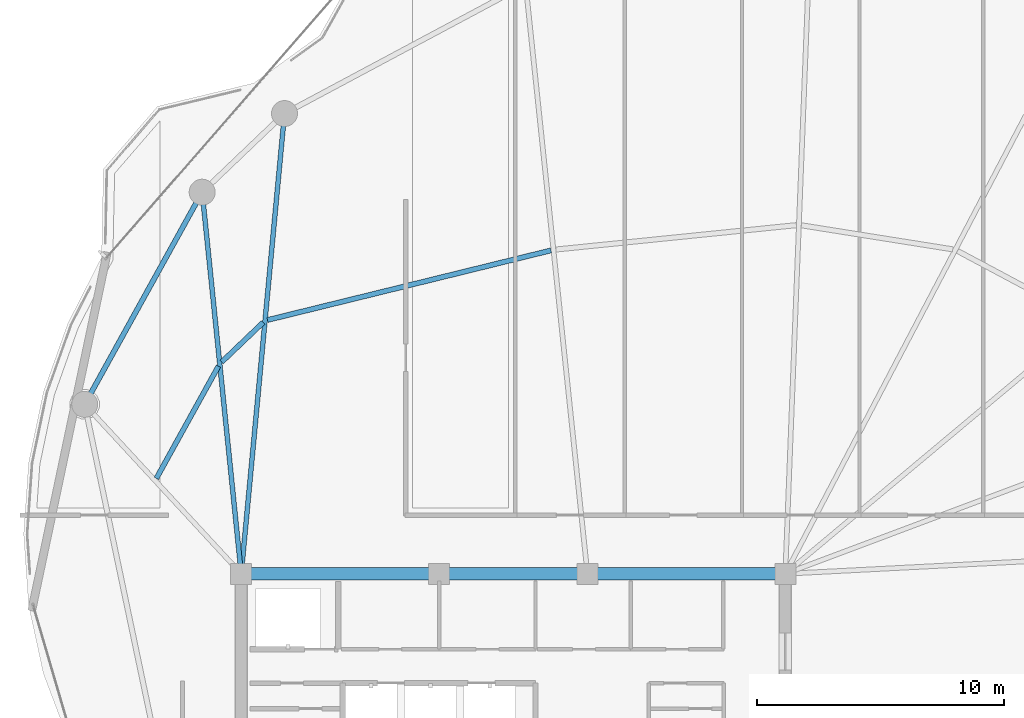
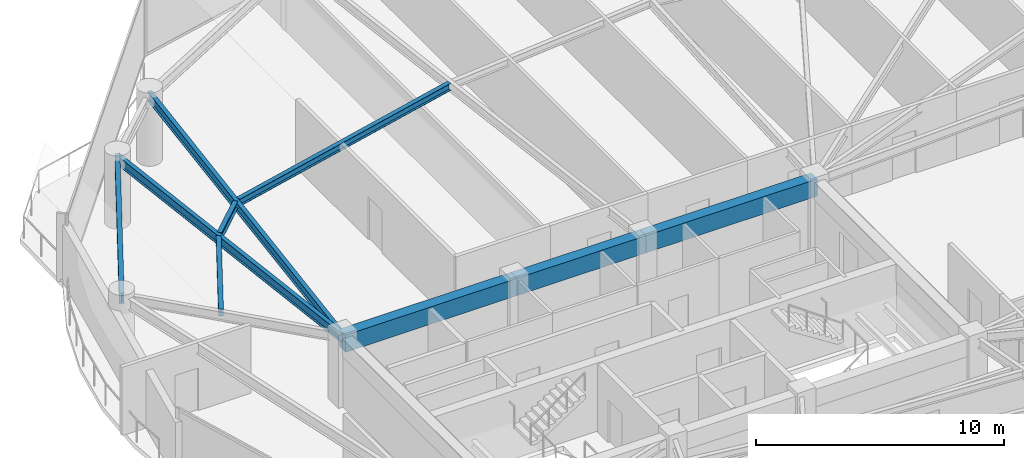
# One storey, part 8 of 28: 9 beams.
"""IFC4 building model written with IfcOpenShell, lengths in metres."""

from ifc_helpers import new_model, si_unit, direction, frame, origin, origin_2d, place, context, subcontext, project, spatial, rectangle, i_section, extrude, material, material_profile, profile_set, type_object, element, save


model = new_model("IFC4")

# Units and contexts
model_context = context("Model", 3, precision=1e-05, world=origin(), true_north=direction((0.0, 1.0)))
body_context = subcontext(model_context, "Body", "Model", "MODEL_VIEW")
ifc_project = project(units=[si_unit("LENGTHUNIT", "METRE"), si_unit("AREAUNIT", "SQUARE_METRE"), si_unit("VOLUMEUNIT", "CUBIC_METRE"), si_unit("PLANEANGLEUNIT", "RADIAN"), si_unit("MASSUNIT", "GRAM", prefix="KILO")], contexts=[model_context])

# Site, building, storey
site_placement = place(None, origin())
site = spatial("IfcSite", under=ifc_project, at=site_placement, CompositionType="ELEMENT")
building_placement = place(site_placement, origin())
building = spatial("IfcBuilding", under=site, at=building_placement, Name="Kazevale Care Tower and Concert Hall", CompositionType="ELEMENT")
storey_placement = place(building_placement, frame((0.0, 0.0, 246.0)))
storey = spatial("IfcBuildingStorey", under=building, at=storey_placement, Name="L65", CompositionType="ELEMENT", Elevation=246.0)

# Beams
ifc_material_1 = material(Name="Concrete C60", Category="concrete")
ifc_material_profile_1 = material_profile(ifc_material_1, rectangle(XDim=0.5, YDim=0.85009765625, at=origin_2d()), Name="RC-B500x850")
ifc_profile_set_1 = profile_set([ifc_material_profile_1], Name="Concrete C60")
beam_type_1 = type_object("IfcBeamType", Name="Core Coupling Beam RC500x850", PredefinedType="LINTEL", material=ifc_profile_set_1)
beam_1_placement = place(storey_placement, frame((44.0, 36.39990234375, 2.93505859375), z_axis=(-1.0, 0.0, 0.0), x_axis=(0.0, -1.0, 0.0)))
element("IfcBeam", 1, at=beam_1_placement, inside=storey, type_object=beam_type_1, Name="beam:L65:coretie:5", PredefinedType="LINTEL", context=body_context, shape_type="SweptSolid", body=[
    extrude(rectangle(XDim=0.5, YDim=0.85009765625, at=origin_2d()), origin(), (0.0, 0.0, 1.0), 8.0),
])
beam_2_placement = place(storey_placement, frame((36.0, 36.39990234375, 2.93505859375), z_axis=(-1.0, 0.0, 0.0), x_axis=(0.0, -1.0, 0.0)))
element("IfcBeam", 2, at=beam_2_placement, inside=storey, type_object=beam_type_1, Name="beam:L65:coretie:6", PredefinedType="LINTEL", context=body_context, shape_type="SweptSolid", body=[
    extrude(rectangle(XDim=0.5, YDim=0.85009765625, at=origin_2d()), origin(), (0.0, 0.0, 1.0), 6.0),
])
beam_3_placement = place(storey_placement, frame((30.0, 36.39990234375, 2.93505859375), z_axis=(-1.0, 0.0, 0.0), x_axis=(0.0, -1.0, 0.0)))
element("IfcBeam", 3, at=beam_3_placement, inside=storey, type_object=beam_type_1, Name="beam:L65:coretie:7", PredefinedType="LINTEL", context=body_context, shape_type="SweptSolid", body=[
    extrude(rectangle(XDim=0.5, YDim=0.85009765625, at=origin_2d()), origin(), (0.0, 0.0, 1.0), 8.0),
])
ifc_material_2 = material(Name="Steel ASTM A572 Gr 50", Category="steel")
ifc_material_profile_2 = material_profile(ifc_material_2, i_section(OverallWidth=0.19091796875, OverallDepth=0.4599609375, WebThickness=0.010009765625, FlangeThickness=0.01611328125, at=origin_2d()), Name="W460x82")
ifc_profile_set_2 = profile_set([ifc_material_profile_2], Name="Steel ASTM A572 Gr 50")
beam_type_2 = type_object("IfcBeamType", Name="Radial Floor Beam W460x82", PredefinedType="BEAM", material=ifc_profile_set_2)
beam_4_placement = place(storey_placement, frame((22.0, 36.39990234375, 3.1298828125), z_axis=(0.093621904075, 0.995607823933, 0.0), x_axis=(-0.995607823933, 0.093621904075, 0.0)))
element("IfcBeam", 4, at=beam_4_placement, inside=storey, type_object=beam_type_2, Name="beam:L65:rad:07", PredefinedType="BEAM", context=body_context, shape_type="SweptSolid", body=[
    extrude(i_section(OverallWidth=0.19091796875, OverallDepth=0.4599609375, WebThickness=0.010009765625, FlangeThickness=0.01611328125, at=origin_2d()), origin(), (0.0, 0.0, 1.0), 18.692138671875),
])
beam_5_placement = place(storey_placement, frame((22.0, 36.39990234375, 3.1298828125), z_axis=(-0.101869109083, 0.994797810922, 0.0), x_axis=(-0.994797810922, -0.101869109083, 0.0)))
element("IfcBeam", 5, at=beam_5_placement, inside=storey, type_object=beam_type_2, Name="beam:L65:rad:08", PredefinedType="BEAM", context=body_context, shape_type="SweptSolid", body=[
    extrude(i_section(OverallWidth=0.19091796875, OverallDepth=0.4599609375, WebThickness=0.010009765625, FlangeThickness=0.01611328125, at=origin_2d()), origin(), (0.0, 0.0, 1.0), 15.510986328125),
])
ifc_material_profile_3 = material_profile(ifc_material_2, i_section(OverallWidth=0.205078125, OverallDepth=0.35400390625, WebThickness=0.009521484375, FlangeThickness=0.016845703125, at=origin_2d()), Name="W360x79")
ifc_profile_set_3 = profile_set([ifc_material_profile_3], Name="Steel ASTM A572 Gr 50")
beam_type_3 = type_object("IfcBeamType", Name="Secondary Floor Joist W360x79", PredefinedType="JOIST", material=ifc_profile_set_3)
beam_6_placement = place(storey_placement, frame((34.52294921875, 49.47607421875, 3.18310546875), z_axis=(-0.971122715177, -0.238580535809, 0.0), x_axis=(0.238580535809, -0.971122715177, 0.0)))
element("IfcBeam", 6, at=beam_6_placement, inside=storey, type_object=beam_type_3, Name="beam:L65:joist:06", PredefinedType="JOIST", context=body_context, shape_type="SweptSolid", body=[
    extrude(i_section(OverallWidth=0.205078125, OverallDepth=0.35400390625, WebThickness=0.009521484375, FlangeThickness=0.016845703125, at=origin_2d()), origin(), (0.0, 0.0, 1.0), 11.7998046875),
])
beam_7_placement = place(storey_placement, frame((22.886962890625, 46.56298828125, 3.18310546875), z_axis=(-0.723262472539, -0.690573237114, 0.0), x_axis=(0.690573237114, -0.723262472539, 0.0)))
element("IfcBeam", 7, at=beam_7_placement, inside=storey, type_object=beam_type_3, Name="beam:L65:joist:07", PredefinedType="JOIST", context=body_context, shape_type="SweptSolid", body=[
    extrude(i_section(OverallWidth=0.205078125, OverallDepth=0.35400390625, WebThickness=0.009521484375, FlangeThickness=0.016845703125, at=origin_2d()), origin(), (0.0, 0.0, 1.0), 2.32275390625),
])
beam_8_placement = place(storey_placement, frame((21.080078125, 44.794921875, 3.18310546875), z_axis=(-0.484322963201, -0.874889288605, 0.0), x_axis=(0.874889288605, -0.484322963201, 0.0)))
element("IfcBeam", 8, at=beam_8_placement, inside=storey, type_object=beam_type_3, Name="beam:L65:joist:08", PredefinedType="JOIST", context=body_context, shape_type="SweptSolid", body=[
    extrude(i_section(OverallWidth=0.205078125, OverallDepth=0.35400390625, WebThickness=0.009521484375, FlangeThickness=0.016845703125, at=origin_2d()), origin(), (0.0, 0.0, 1.0), 5.1845703125),
])
ifc_material_profile_4 = material_profile(ifc_material_2, i_section(OverallWidth=0.208984375, OverallDepth=0.532958984375, WebThickness=0.01025390625, FlangeThickness=0.015625, at=origin_2d()), Name="W530x92")
ifc_profile_set_4 = profile_set([ifc_material_profile_4], Name="Steel ASTM A572 Gr 50")
beam_type_4 = type_object("IfcBeamType", Name="Upper Ring Beam W530x92", PredefinedType="BEAM", material=ifc_profile_set_4)
beam_9_placement = place(storey_placement, frame((20.419921875, 51.830078125, 3.093505859375), z_axis=(-0.484340382014, -0.874879645637, 0.0), x_axis=(0.874879645637, -0.484340382014, 0.0)))
element("IfcBeam", 9, at=beam_9_placement, inside=storey, type_object=beam_type_4, Name="beam:L65:ring:08", PredefinedType="BEAM", context=body_context, shape_type="SweptSolid", body=[
    extrude(i_section(OverallWidth=0.208984375, OverallDepth=0.532958984375, WebThickness=0.01025390625, FlangeThickness=0.015625, at=origin_2d()), origin(), (0.0, 0.0, 1.0), 9.80712890625),
])

save(model, "model.ifc")
